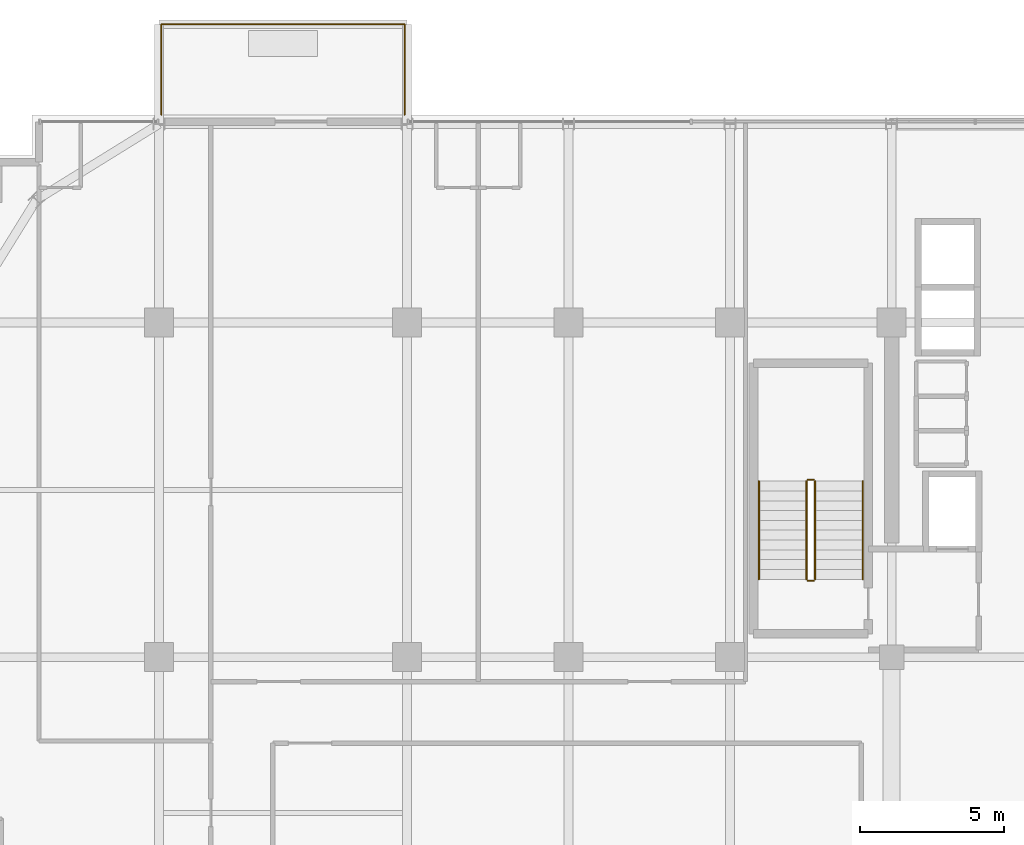
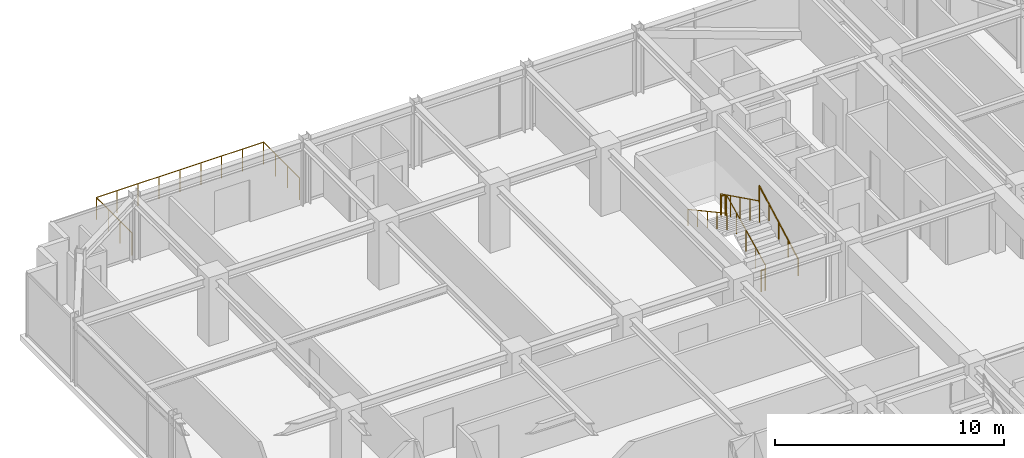
# One storey, part 35 of 36: 7 railings.
"""IFC4 building model written with IfcOpenShell, lengths in metres."""

import ifcopenshell
import ifcopenshell.guid

model = None  # the IFC model being written
_history = None  # IfcOwnerHistory: only IFC2X3 demands one
_inside = {}  # id of a spatial element -> (the spatial element, [elements in it])
_under = {}  # id of a project, library or spatial element -> (it, [spatial elements below it])
_declared = {}  # id of a project -> (the project, [libraries it declares])
_typed = {}  # id of a type object -> (the type object, [elements of that type])
_made_of = {}  # id of a material, layer set ... -> (it, [elements and type objects made of it])


def new_model(schema):
    """Start an empty IFC model of exactly this schema.

    Asked for "IFC4X3", IfcOpenShell would pick the latest addendum, in which some entities
    have other attributes; the version numbers below select the first issue.
    IFC2X3 requires an IfcOwnerHistory on every rooted entity: one is made here for all.
    """
    global model, _history
    if schema == "IFC4X3":
        model = ifcopenshell.file(schema_version=(4, 3, 0, 0))
    else:
        model = ifcopenshell.file(schema=schema)
    _inside.clear()
    _under.clear()
    _declared.clear()
    _typed.clear()
    _made_of.clear()
    _history = None
    if model.schema == "IFC2X3":
        org = make("IfcOrganization", Name="unknown")
        user = make(
            "IfcPersonAndOrganization",
            ThePerson=make("IfcPerson", FamilyName="unknown"),
            TheOrganization=org,
        )
        app = make(
            "IfcApplication",
            ApplicationDeveloper=org,
            Version="unknown",
            ApplicationFullName="unknown",
            ApplicationIdentifier="unknown",
        )
        _history = make(
            "IfcOwnerHistory",
            OwningUser=user,
            OwningApplication=app,
            ChangeAction="ADDED",
            CreationDate=0,
        )
    return model


def make(cls, **values):
    """One entity of the class cls with the attributes given. An attribute that is None is left unset."""
    return model.create_entity(
        cls, **{name: value for name, value in values.items() if value is not None}
    )


def rooted(cls, **values):
    """An entity with a GlobalId (a new one), such as an element, a storey or a relation."""
    return make(cls, GlobalId=ifcopenshell.guid.new(), OwnerHistory=_history, **values)


def si_unit(unit_type, name, prefix=None):
    """IfcSIUnit, for example si_unit("LENGTHUNIT", "METRE", prefix="MILLI")."""
    return make("IfcSIUnit", UnitType=unit_type, Prefix=prefix, Name=name)


def assignment(units):
    """IfcUnitAssignment: the units of a project."""
    return None if units is None else make("IfcUnitAssignment", Units=units)


def point(xyz):
    """IfcCartesianPoint."""
    return None if xyz is None else make("IfcCartesianPoint", Coordinates=xyz)


def direction(xyz):
    """IfcDirection."""
    return None if xyz is None else make("IfcDirection", DirectionRatios=xyz)


def frame(location, z_axis=None, x_axis=None):
    """IfcAxis2Placement3D, a coordinate frame: its origin and axes. An axis left out is left unset."""
    return make(
        "IfcAxis2Placement3D",
        Location=point(location),
        Axis=direction(z_axis),
        RefDirection=direction(x_axis),
    )


def frame_2d(location, x_axis=None):
    """IfcAxis2Placement2D, a coordinate frame in the plane: its origin and x axis."""
    return make(
        "IfcAxis2Placement2D", Location=point(location), RefDirection=direction(x_axis)
    )


def origin():
    """The frame at (0, 0, 0) with its axes left unset."""
    return frame((0.0, 0.0, 0.0))


def origin_2d():
    """The frame at (0, 0) in the plane with its x axis left unset."""
    return frame_2d((0.0, 0.0))


def place(relative_to, where):
    """IfcLocalPlacement: puts the frame where relative to a parent placement (None: the world)."""
    return make(
        "IfcLocalPlacement", PlacementRelTo=relative_to, RelativePlacement=where
    )


def context(
    kind, dimensions, precision=None, world=None, true_north=None, identifier=None
):
    """IfcGeometricRepresentationContext, for example the 3D "Model" context."""
    return make(
        "IfcGeometricRepresentationContext",
        ContextIdentifier=identifier,
        ContextType=kind,
        CoordinateSpaceDimension=dimensions,
        Precision=precision,
        WorldCoordinateSystem=world,
        TrueNorth=true_north,
    )


def subcontext(parent, identifier, kind, view, scale=None):
    """IfcGeometricRepresentationSubContext, for example "Body" below "Model"."""
    return make(
        "IfcGeometricRepresentationSubContext",
        ContextIdentifier=identifier,
        ContextType=kind,
        ParentContext=parent,
        TargetScale=scale,
        TargetView=view,
    )


def project(units=None, contexts=None):
    """IfcProject with its units and contexts."""
    return rooted(
        "IfcProject",
        Name="project",
        RepresentationContexts=contexts,
        UnitsInContext=assignment(units),
    )


def spatial(cls, under=None, at=None, **own):
    """A site, building, storey or space (cls), placed at a placement, below another one or the project."""
    s = rooted(cls, ObjectPlacement=at, **own)
    if under is not None:
        _under.setdefault(under.id(), (under, []))[1].append(s)
    return s


def profile(cls, at=None, kind="AREA", **sizes):
    """A parametric profile (cls). Its sizes go by their IFC names, for example OverallWidth=200.0."""
    return make(cls, ProfileType=kind, Position=at, **sizes)


def circle(**sizes):
    """IfcCircleProfileDef."""
    return profile("IfcCircleProfileDef", **sizes)


def extrude(swept, where, along, depth):
    """IfcExtrudedAreaSolid: the profile swept, set in the frame where, extruded along a direction by depth."""
    return make(
        "IfcExtrudedAreaSolid",
        SweptArea=swept,
        Position=where,
        ExtrudedDirection=direction(along),
        Depth=depth,
    )


def shape(context_of_items, identifier, shape_type, items):
    """IfcShapeRepresentation: the items that make up one representation, for example the "Body"."""
    return make(
        "IfcShapeRepresentation",
        ContextOfItems=context_of_items,
        RepresentationIdentifier=identifier,
        RepresentationType=shape_type,
        Items=items,
    )


def material(Name=None, Category=None):
    """IfcMaterial."""
    return make("IfcMaterial", Name=Name, Category=Category)


def made_of(thing, what):
    """Note that an element or type object is made of a material, layer set ...; save() writes the relation."""
    if what is not None:
        _made_of.setdefault(what.id(), (what, []))[1].append(thing)
    return thing


def type_object(cls, material=None, **own):
    """A type object (cls), such as IfcWallType, which elements share."""
    return made_of(rooted(cls, **own), material)


def element(
    cls,
    number,
    at=None,
    inside=None,
    cuts=None,
    type_object=None,
    material=None,
    context=None,
    identifier="Body",
    shape_type=None,
    held_by="IfcProductDefinitionShape",
    body=None,
    shapes=None,
    **own,
):
    """One element of the class cls, such as IfcWall. Its Tag is "e" and its number.

    at: its placement. inside: the storey or other place that contains it. cuts: it is an
    opening in that element (IfcRelVoidsElement). A single representation is given by context,
    identifier, shape_type and body (its items); several are given by shapes. held_by: the class
    of the entity that holds the representations. save() writes the other relations.
    """
    e = rooted(cls, Tag="e%d" % number, ObjectPlacement=at, **own)
    if body is not None:
        shapes = [shape(context, identifier, shape_type, body)]
    if shapes is not None:
        e.Representation = make(held_by, Representations=shapes)
    if inside is not None:
        _inside.setdefault(inside.id(), (inside, []))[1].append(e)
    if cuts is not None:
        rooted(
            "IfcRelVoidsElement", RelatingBuildingElement=cuts, RelatedOpeningElement=e
        )
    if type_object is not None:
        _typed.setdefault(type_object.id(), (type_object, []))[1].append(e)
    return made_of(e, material)


def aggregate(whole, parts):
    """IfcRelAggregates: a whole, such as a stair, and the parts it consists of."""
    return rooted("IfcRelAggregates", RelatingObject=whole, RelatedObjects=parts)


def save(model, path):
    """Write the relations noted so far, then the file.

    IfcRelAggregates (storeys below a building ...), IfcRelContainedInSpatialStructure (elements
    in a storey), IfcRelDefinesByType, IfcRelAssociatesMaterial and IfcRelDeclares: one each for
    every whole, place, type object, material and project.
    """
    for whole, parts in _under.values():
        aggregate(whole, parts)
    for where, things in _inside.values():
        rooted(
            "IfcRelContainedInSpatialStructure",
            RelatedElements=things,
            RelatingStructure=where,
        )
    for kind, things in _typed.values():
        rooted("IfcRelDefinesByType", RelatedObjects=things, RelatingType=kind)
    for what, things in _made_of.values():
        rooted("IfcRelAssociatesMaterial", RelatedObjects=things, RelatingMaterial=what)
    for by, libraries in _declared.values():
        rooted("IfcRelDeclares", RelatingContext=by, RelatedDefinitions=libraries)
    model.write(path)


model = new_model("IFC4")

# Units and contexts
model_context = context("Model", 3, precision=1e-05, world=origin(), true_north=direction((0.0, 1.0)))
body_context = subcontext(model_context, "Body", "Model", "MODEL_VIEW")
ifc_project = project(units=[si_unit("LENGTHUNIT", "METRE"), si_unit("AREAUNIT", "SQUARE_METRE"), si_unit("VOLUMEUNIT", "CUBIC_METRE"), si_unit("PLANEANGLEUNIT", "RADIAN"), si_unit("MASSUNIT", "GRAM", prefix="KILO")], contexts=[model_context])

# Site, building, storey
site_placement = place(None, origin())
site = spatial("IfcSite", under=ifc_project, at=site_placement, CompositionType="ELEMENT")
building_placement = place(site_placement, origin())
building = spatial("IfcBuilding", under=site, at=building_placement, Name="Nahalor Promenade Grand Hotel", CompositionType="ELEMENT")
storey_placement = place(building_placement, frame((0.0, 0.0, 234.5)))
storey = spatial("IfcBuildingStorey", under=building, at=storey_placement, Name="L60", CompositionType="ELEMENT", Elevation=234.5)

# Railings
ifc_material_1 = material(Name="Anodised Bronze Aluminium EN AW-6063 T6", Category="aluminium")
railing_type_1 = type_object("IfcRailingType", Name="Bronze Balcony Guardrail 1200 mm", PredefinedType="GUARDRAIL", material=ifc_material_1)
railing_1_placement = place(storey_placement, frame((-16.919921875, 24.199951171875, 0.0)))
element("IfcRailing", 1, at=railing_1_placement, inside=storey, type_object=railing_type_1, Name="L60 Balcony Guardrail 1", PredefinedType="GUARDRAIL", context=body_context, shape_type="SweptSolid", body=[
    extrude(circle(Radius=0.024048, at=origin_2d()), frame((0.0, 0.0, 1.17578125), z_axis=(0.0, 1.0, 0.0), x_axis=(-1.0, 0.0, 0.0)), (0.0, 0.0, 1.0), 3.13818359375),
    extrude(circle(Radius=0.024048, at=origin_2d()), frame((0.001953125, 3.14013671875, 1.17578125), z_axis=(1.0, 0.0, 0.0), x_axis=(0.0, 1.0, 0.0)), (0.0, 0.0, 1.0), 8.43603515625),
    extrude(circle(Radius=0.024048, at=origin_2d()), frame((8.43994140625, 3.13818359375, 1.17578125), z_axis=(0.0, -1.0, 0.0), x_axis=(1.0, 0.0, 0.0)), (0.0, 0.0, 1.0), 3.13818359375),
    extrude(circle(Radius=0.020996, at=origin_2d()), origin(), (0.0, 0.0, 1.0), 1.14990234375),
    extrude(circle(Radius=0.020996, at=origin_2d()), frame((0.0, 1.046630859375, 0.0)), (0.0, 0.0, 1.0), 1.14990234375),
    extrude(circle(Radius=0.020996, at=origin_2d()), frame((0.0, 2.093505859375, 0.0)), (0.0, 0.0, 1.0), 1.14990234375),
    extrude(circle(Radius=0.020996, at=origin_2d()), frame((0.0, 3.14013671875, 0.0)), (0.0, 0.0, 1.0), 1.14990234375),
    extrude(circle(Radius=0.020996, at=origin_2d()), frame((1.054931640625, 3.14013671875, 0.0)), (0.0, 0.0, 1.0), 1.14990234375),
    extrude(circle(Radius=0.020996, at=origin_2d()), frame((2.10986328125, 3.14013671875, 0.0)), (0.0, 0.0, 1.0), 1.14990234375),
    extrude(circle(Radius=0.020996, at=origin_2d()), frame((3.1650390625, 3.14013671875, 0.0)), (0.0, 0.0, 1.0), 1.14990234375),
    extrude(circle(Radius=0.020996, at=origin_2d()), frame((4.219970703125, 3.14013671875, 0.0)), (0.0, 0.0, 1.0), 1.14990234375),
    extrude(circle(Radius=0.020996, at=origin_2d()), frame((5.27490234375, 3.14013671875, 0.0)), (0.0, 0.0, 1.0), 1.14990234375),
    extrude(circle(Radius=0.020996, at=origin_2d()), frame((6.330078125, 3.14013671875, 0.0)), (0.0, 0.0, 1.0), 1.14990234375),
    extrude(circle(Radius=0.020996, at=origin_2d()), frame((7.385009765625, 3.14013671875, 0.0)), (0.0, 0.0, 1.0), 1.14990234375),
    extrude(circle(Radius=0.020996, at=origin_2d()), frame((8.43994140625, 3.14013671875, 0.0)), (0.0, 0.0, 1.0), 1.14990234375),
    extrude(circle(Radius=0.020996, at=origin_2d()), frame((8.43994140625, 2.093505859375, 0.0)), (0.0, 0.0, 1.0), 1.14990234375),
    extrude(circle(Radius=0.020996, at=origin_2d()), frame((8.43994140625, 1.046630859375, 0.0)), (0.0, 0.0, 1.0), 1.14990234375),
    extrude(circle(Radius=0.020996, at=origin_2d()), frame((8.43994140625, 0.0, 0.0)), (0.0, 0.0, 1.0), 1.14990234375),
])
ifc_material_2 = material(Name="Steel S355JR", Category="steel")
railing_type_2 = type_object("IfcRailingType", Name="Steel Stair Guardrail 1150 mm", PredefinedType="GUARDRAIL", material=ifc_material_2)
railing_2_placement = place(storey_placement, frame((5.75, 8.10009765625, 0.168212890625)))
element("IfcRailing", 2, at=railing_2_placement, inside=storey, type_object=railing_type_2, Name="L60 ST1 stair guard 1", PredefinedType="GUARDRAIL", context=body_context, shape_type="SweptSolid", body=[
    extrude(circle(Radius=0.024048, at=origin_2d()), frame((0.0, 0.0, 1.1259765625), z_axis=(0.0, 0.896324230515, 0.443399226197), x_axis=(-1.0, 0.0, 0.0)), (0.0, 0.0, 1.0), 3.793212890625),
    extrude(circle(Radius=0.020996, at=origin_2d()), origin(), (0.0, 0.0, 1.0), 1.099853515625),
    extrude(circle(Radius=0.020996, at=origin_2d()), frame((0.0, 0.85009765625, 0.42041015625)), (0.0, 0.0, 1.0), 1.099853515625),
    extrude(circle(Radius=0.020996, at=origin_2d()), frame((0.0, 1.699951171875, 0.8408203125)), (0.0, 0.0, 1.0), 1.099853515625),
    extrude(circle(Radius=0.020996, at=origin_2d()), frame((0.0, 2.5498046875, 1.261474609375)), (0.0, 0.0, 1.0), 1.099853515625),
    extrude(circle(Radius=0.020996, at=origin_2d()), frame((0.0, 3.39990234375, 1.681884765625)), (0.0, 0.0, 1.0), 1.099853515625),
])
railing_3_placement = place(storey_placement, frame((5.699951171875, 11.550048828125, 1.85009765625)))
element("IfcRailing", 3, at=railing_3_placement, inside=storey, type_object=railing_type_2, Name="L60 ST1 stair guard 2", PredefinedType="GUARDRAIL", context=body_context, shape_type="SweptSolid", body=[
    extrude(circle(Radius=0.024048, at=origin_2d()), frame((0.0, 0.0, 1.1259765625), z_axis=(-1.0, 0.0, 0.0), x_axis=(0.0, -1.0, 0.0)), (0.0, 0.0, 1.0), 0.199951171875),
    extrude(circle(Radius=0.020996, at=origin_2d()), origin(), (0.0, 0.0, 1.0), 1.099853515625),
    extrude(circle(Radius=0.020996, at=origin_2d()), frame((-0.199951171875, 0.0, 0.0)), (0.0, 0.0, 1.0), 1.099853515625),
])
railing_4_placement = place(storey_placement, frame((5.449951171875, 11.5, 2.01806640625)))
element("IfcRailing", 4, at=railing_4_placement, inside=storey, type_object=railing_type_2, Name="L60 ST1 stair guard 3", PredefinedType="GUARDRAIL", context=body_context, shape_type="SweptSolid", body=[
    extrude(circle(Radius=0.024048, at=origin_2d()), frame((0.0, 0.0, 1.1259765625), z_axis=(0.0, -0.896324230515, 0.443399226197), x_axis=(1.0, 0.0, 0.0)), (0.0, 0.0, 1.0), 3.793212890625),
    extrude(circle(Radius=0.020996, at=origin_2d()), origin(), (0.0, 0.0, 1.0), 1.099853515625),
    extrude(circle(Radius=0.020996, at=origin_2d()), frame((0.0, -0.85009765625, 0.42041015625)), (0.0, 0.0, 1.0), 1.099853515625),
    extrude(circle(Radius=0.020996, at=origin_2d()), frame((0.0, -1.699951171875, 0.8408203125)), (0.0, 0.0, 1.0), 1.099853515625),
    extrude(circle(Radius=0.020996, at=origin_2d()), frame((0.0, -2.5498046875, 1.261474609375)), (0.0, 0.0, 1.0), 1.099853515625),
    extrude(circle(Radius=0.020996, at=origin_2d()), frame((0.0, -3.39990234375, 1.681884765625)), (0.0, 0.0, 1.0), 1.099853515625),
])
railing_5_placement = place(storey_placement, frame((5.699951171875, 8.050048828125, 0.0)))
element("IfcRailing", 5, at=railing_5_placement, inside=storey, type_object=railing_type_2, Name="L60 ST1 stair guard 4", PredefinedType="GUARDRAIL", context=body_context, shape_type="SweptSolid", body=[
    extrude(circle(Radius=0.024048, at=origin_2d()), frame((0.0, 0.0, 1.1259765625), z_axis=(-1.0, 0.0, 0.0), x_axis=(0.0, -1.0, 0.0)), (0.0, 0.0, 1.0), 0.199951171875),
    extrude(circle(Radius=0.020996, at=origin_2d()), origin(), (0.0, 0.0, 1.0), 1.099853515625),
    extrude(circle(Radius=0.020996, at=origin_2d()), frame((-0.199951171875, 0.0, 0.0)), (0.0, 0.0, 1.0), 1.099853515625),
])
railing_type_3 = type_object("IfcRailingType", Name="Steel Stair Handrail 900 mm", PredefinedType="HANDRAIL", material=ifc_material_2)
railing_6_placement = place(storey_placement, frame((7.39990234375, 8.10009765625, 0.168212890625)))
element("IfcRailing", 6, at=railing_6_placement, inside=storey, type_object=railing_type_3, Name="L60 ST1 stair handrail 1", PredefinedType="HANDRAIL", context=body_context, shape_type="SweptSolid", body=[
    extrude(circle(Radius=0.024048, at=origin_2d()), frame((0.0, 0.0, 0.8759765625), z_axis=(0.0, 0.878398892953, 0.47792822145), x_axis=(-1.0, 0.0, 0.0)), (0.0, 0.0, 1.0), 3.87060546875),
    extrude(circle(Radius=0.020996, at=origin_2d()), origin(), (0.0, 0.0, 1.0), 0.849853515625),
    extrude(circle(Radius=0.020996, at=origin_2d()), frame((0.0, 0.85009765625, 0.46240234375)), (0.0, 0.0, 1.0), 0.849853515625),
    extrude(circle(Radius=0.020996, at=origin_2d()), frame((0.0, 1.699951171875, 0.9248046875)), (0.0, 0.0, 1.0), 0.849853515625),
    extrude(circle(Radius=0.020996, at=origin_2d()), frame((0.0, 2.5498046875, 1.387451171875)), (0.0, 0.0, 1.0), 0.849853515625),
    extrude(circle(Radius=0.020996, at=origin_2d()), frame((0.0, 3.39990234375, 1.849853515625)), (0.0, 0.0, 1.0), 0.849853515625),
])
railing_7_placement = place(storey_placement, frame((3.800048828125, 11.5, 2.01806640625)))
element("IfcRailing", 7, at=railing_7_placement, inside=storey, type_object=railing_type_3, Name="L60 ST1 stair handrail 2", PredefinedType="HANDRAIL", context=body_context, shape_type="SweptSolid", body=[
    extrude(circle(Radius=0.024048, at=origin_2d()), frame((0.0, 0.0, 0.8759765625), z_axis=(0.0, -0.87837241229, 0.47797688786), x_axis=(1.0, 0.0, 0.0)), (0.0, 0.0, 1.0), 3.87060546875),
    extrude(circle(Radius=0.020996, at=origin_2d()), origin(), (0.0, 0.0, 1.0), 0.849853515625),
    extrude(circle(Radius=0.020996, at=origin_2d()), frame((0.0, -0.85009765625, 0.46240234375)), (0.0, 0.0, 1.0), 0.849853515625),
    extrude(circle(Radius=0.020996, at=origin_2d()), frame((0.0, -1.699951171875, 0.925048828125)), (0.0, 0.0, 1.0), 0.849853515625),
    extrude(circle(Radius=0.020996, at=origin_2d()), frame((0.0, -2.5498046875, 1.3876953125)), (0.0, 0.0, 1.0), 0.849853515625),
    extrude(circle(Radius=0.020996, at=origin_2d()), frame((0.0, -3.39990234375, 1.85009765625)), (0.0, 0.0, 1.0), 0.849853515625),
])

save(model, "model.ifc")
